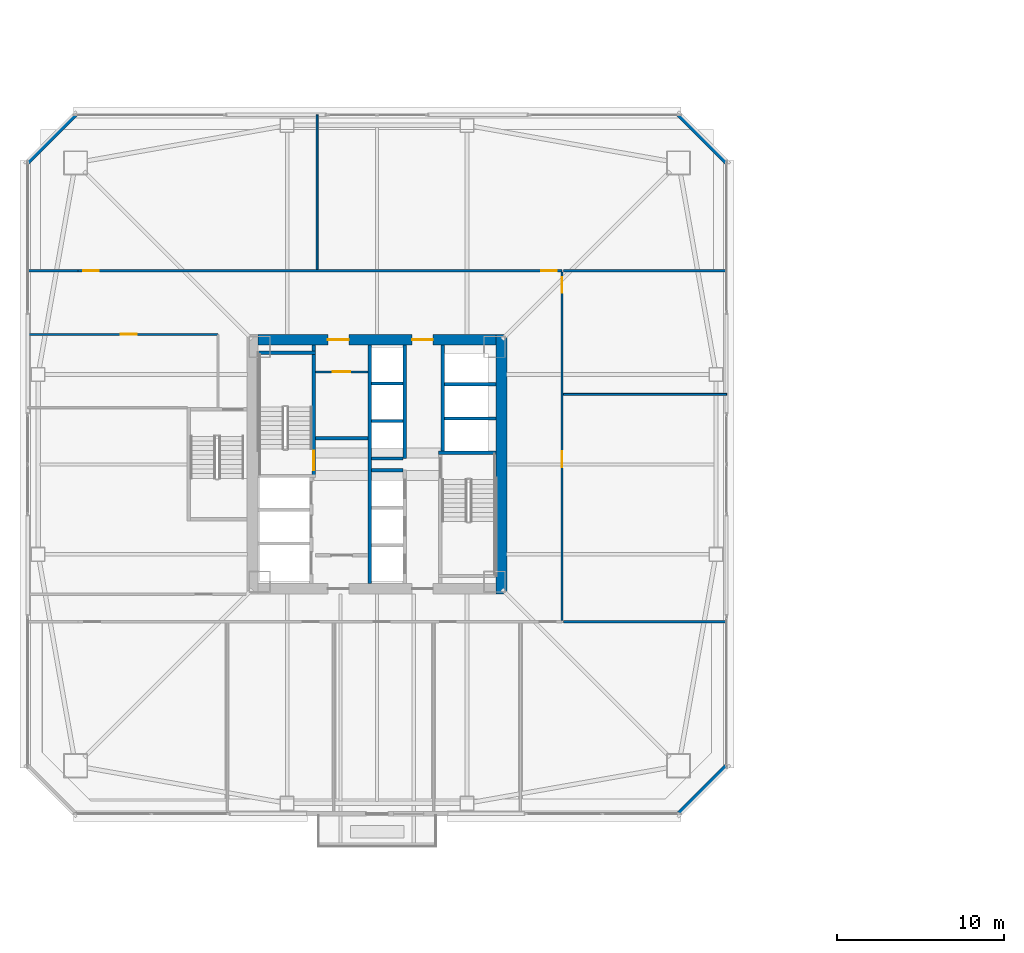
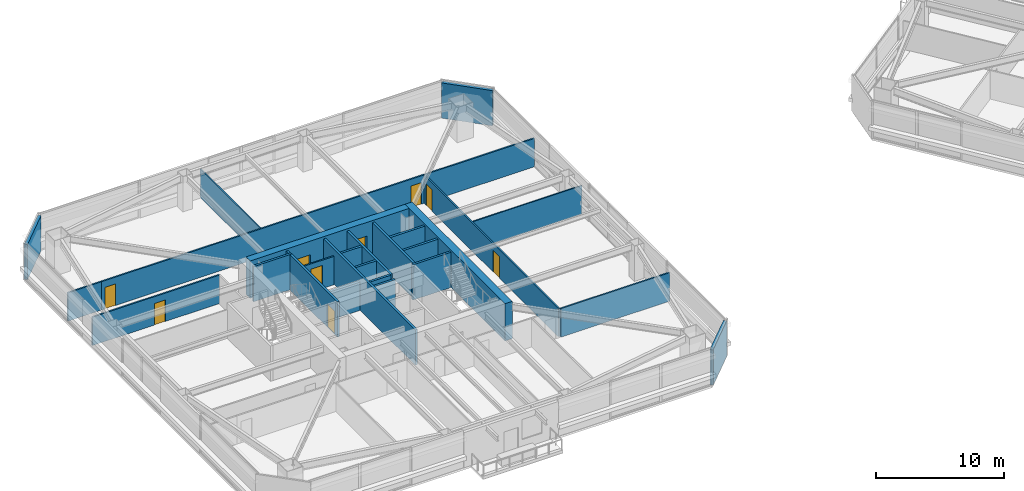
# One storey, part 34 of 44: 27 walls, 9 doors, 9 openings.
"""IFC4 building model written with IfcOpenShell, lengths in metres."""

from ifc_helpers import new_model, si_unit, direction, frame, frame_2d, origin, place, context, subcontext, project, spatial, rectangle, extrude, material, layer, layer_set, type_object, element, fill, save


model = new_model("IFC4")

# Units and contexts
model_context = context("Model", 3, precision=1e-05, world=origin(), true_north=direction((0.0, 1.0)))
body_context = subcontext(model_context, "Body", "Model", "MODEL_VIEW")
ifc_project = project(units=[si_unit("LENGTHUNIT", "METRE"), si_unit("AREAUNIT", "SQUARE_METRE"), si_unit("VOLUMEUNIT", "CUBIC_METRE"), si_unit("PLANEANGLEUNIT", "RADIAN"), si_unit("MASSUNIT", "GRAM", prefix="KILO")], contexts=[model_context])

# Site, building, storey
site_placement = place(None, origin())
site = spatial("IfcSite", under=ifc_project, at=site_placement, CompositionType="ELEMENT")
building_placement = place(site_placement, origin())
building = spatial("IfcBuilding", under=site, at=building_placement, Name="Tashvorn Skyway Center", CompositionType="ELEMENT")
storey_placement = place(building_placement, frame((0.0, 0.0, 92.050048828125)))
storey = spatial("IfcBuildingStorey", under=building, at=storey_placement, Name="L24", CompositionType="ELEMENT", Elevation=92.050048828125)

# Wall
ifc_material_1 = material(Name="Concrete C60/75", Category="concrete")
ifc_layer_1 = layer(ifc_material_1, 0.64990234375)
ifc_layer_set_1 = layer_set([ifc_layer_1], Name="Concrete C60/75")
wall_type_1 = type_object("IfcWallType", Name="WALL-CORE-650", PredefinedType="SHEAR", material=ifc_layer_set_1)
wall_1_placement = place(storey_placement, frame((49.47509765625, 39.800048828125, 0.0), z_axis=(0.0, 0.0, 1.0), x_axis=(0.0, -1.0, 0.0)))
element("IfcWall", 1, at=wall_1_placement, inside=storey, type_object=wall_type_1, Name="Tower 1 L24 East Core Shear Wall", PredefinedType="SHEAR", context=body_context, shape_type="SweptSolid", body=[
    extrude(rectangle(XDim=15.60009765625, YDim=0.64990234375, at=frame_2d((7.800048828125, 0.0))), origin(), (0.0, 0.0, 1.0), 3.550048828125),
])

# Wall, openings, doors
wall_2_placement = place(storey_placement, frame((34.85009765625, 39.47509765625, 0.0), z_axis=(0.0, 0.0, 1.0), x_axis=(1.0, 0.0, 0.0)))
wall_2 = element("IfcWall", 2, at=wall_2_placement, inside=storey, type_object=wall_type_1, Name="Tower 1 L24 North Core Shear Wall", PredefinedType="SHEAR", context=body_context, shape_type="SweptSolid", body=[
    extrude(rectangle(XDim=14.2998046875, YDim=0.64990234375, at=frame_2d((7.14990234375, 0.0))), origin(), (0.0, 0.0, 1.0), 3.550048828125),
])
opening_1_placement = place(wall_2_placement, frame((4.199951171875, 0.0, 0.0)))
opening_1 = element("IfcOpeningElement", 3, at=opening_1_placement, cuts=wall_2, Name="Opening D-FFL-1250", PredefinedType="OPENING", context=body_context, shape_type="SweptSolid", body=[
    extrude(rectangle(XDim=1.25, YDim=2.25, at=frame_2d((0.625, 1.125))), frame((0.0, 0.3349609375, 0.0), z_axis=(0.0, -1.0, 0.0), x_axis=(1.0, 0.0, 0.0)), (0.0, 0.0, 1.0), 0.669921875),
])
opening_2_placement = place(wall_2_placement, frame((9.25, 0.0, 0.0)))
opening_2 = element("IfcOpeningElement", 4, at=opening_2_placement, cuts=wall_2, Name="Opening D-FFL-1250", PredefinedType="OPENING", context=body_context, shape_type="SweptSolid", body=[
    extrude(rectangle(XDim=1.25, YDim=2.25, at=frame_2d((0.625, 1.125))), frame((0.0, 0.3349609375, 0.0), z_axis=(0.0, -1.0, 0.0), x_axis=(1.0, 0.0, 0.0)), (0.0, 0.0, 1.0), 0.669921875),
])
ifc_material_2 = material(Name="Hollow galvanized steel fire door assembly", Category="steel")
door_type_1 = type_object("IfcDoorType", Name="DOOR-FFL-1250", OperationType="NOTDEFINED", PredefinedType="DOOR", material=ifc_material_2)
door_1_placement = place(opening_1_placement, origin())
door_1 = element("IfcDoor", 5, at=door_1_placement, inside=storey, type_object=door_type_1, Name="Tower 1 L24 Core North Service Lobby Door", OperationType="SINGLE_SWING_LEFT", OverallHeight=2.25, OverallWidth=1.25, PredefinedType="DOOR", context=body_context, shape_type="SweptSolid", body=[
    extrude(rectangle(XDim=1.25, YDim=2.25, at=frame_2d((0.625, 1.125))), frame((0.0, 0.02490234375, 0.0), z_axis=(0.0, -1.0, 0.0), x_axis=(1.0, 0.0, 0.0)), (0.0, 0.0, 1.0), 0.050048828125),
])
fill(opening_1, door_1)
door_2_placement = place(opening_2_placement, origin())
door_2 = element("IfcDoor", 6, at=door_2_placement, inside=storey, type_object=door_type_1, Name="Tower 1 L24 Core North Lift Lobby Door", OperationType="SINGLE_SWING_RIGHT", OverallHeight=2.25, OverallWidth=1.25, PredefinedType="DOOR", context=body_context, shape_type="SweptSolid", body=[
    extrude(rectangle(XDim=1.25, YDim=2.25, at=frame_2d((0.625, 1.125))), frame((0.0, 0.02490234375, 0.0), z_axis=(0.0, -1.0, 0.0), x_axis=(1.0, 0.0, 0.0)), (0.0, 0.0, 1.0), 0.050048828125),
])
fill(opening_2, door_2)

# Walls
ifc_material_3 = material(Name="Precast concrete C40/50", Category="concrete")
ifc_layer_2 = layer(ifc_material_3, 0.280029296875)
ifc_layer_set_2 = layer_set([ifc_layer_2], Name="Precast concrete C40/50")
wall_type_2 = type_object("IfcWallType", Name="WALL-EXT-280", PredefinedType="SOLIDWALL", material=ifc_layer_set_2)
for number, where, z_axis, x_axis, name in (
    (7, (21.0, 50.10009765625, 0.0), (0.0, 0.0, 1.0), (0.707106781187, 0.707106781187, 0.0), "Tower 1 L24 NW Precast Chamfer Wall"),
    (8, (60.10009765625, 53.0, 0.0), (0.0, 0.0, 1.0), (0.707106781187, -0.707106781187, 0.0), "Tower 1 L24 NE Precast Chamfer Wall"),
    (9, (63.0, 13.89990234375, 0.0), (0.0, 0.0, 1.0), (-0.707106781187, -0.707106781187, 0.0), "Tower 1 L24 SE Precast Chamfer Wall"),
):
    element("IfcWall", number, at=place(storey_placement, frame(where, z_axis=z_axis, x_axis=x_axis)), inside=storey, type_object=wall_type_2, Name=name, PredefinedType="SOLIDWALL", context=body_context, shape_type="SweptSolid", body=[
        extrude(rectangle(XDim=4.10107421875, YDim=0.280029296875, at=frame_2d((2.050537109375, 0.0))), origin(), (0.0, 0.0, 1.0), 3.349853515625),
    ])
ifc_material_4 = material(Name="Concrete C40/50", Category="concrete")
ifc_layer_3 = layer(ifc_material_4, 0.219970703125)
ifc_layer_set_3 = layer_set([ifc_layer_3], Name="Concrete C40/50")
wall_type_3 = type_object("IfcWallType", Name="WALL-FFL-220", PredefinedType="SOLIDWALL", material=ifc_layer_set_3)
wall_3_placement = place(storey_placement, frame((38.300048828125, 33.56005859375, 0.0), z_axis=(0.0, 0.0, 1.0), x_axis=(1.0, 0.0, 0.0)))
element("IfcWall", 10, at=wall_3_placement, inside=storey, type_object=wall_type_3, Name="Tower 1 L24 Firefighting Lobby North Wall", PredefinedType="SOLIDWALL", context=body_context, shape_type="SweptSolid", body=[
    extrude(rectangle(XDim=3.14990234375, YDim=0.219970703125, at=frame_2d((1.574951171875, 0.0))), origin(), (0.0, 0.0, 1.0), 2.702880859375),
])
ifc_material_5 = material(Name="Gypsum board on cold-formed steel stud framing", Category="steel")
ifc_layer_4 = layer(ifc_material_5, 0.110107421875)
ifc_layer_set_4 = layer_set([ifc_layer_4], Name="Gypsum board on cold-formed steel stud framing")
wall_type_4 = type_object("IfcWallType", Name="WALL-PART-110", PredefinedType="PARTITIONING", material=ifc_layer_set_4)
wall_4_placement = place(storey_placement, frame((38.39990234375, 43.699951171875, 0.0), z_axis=(0.0, 0.0, 1.0), x_axis=(0.0, 1.0, 0.0)))
element("IfcWall", 11, at=wall_4_placement, inside=storey, type_object=wall_type_4, Name="Tower 1 L24 North Suite Partition 1", PredefinedType="PARTITIONING", context=body_context, shape_type="SweptSolid", body=[
    extrude(rectangle(XDim=9.280029296875, YDim=0.110107421875, at=frame_2d((4.64013671875, 0.0))), origin(), (0.0, 0.0, 1.0), 2.702880859375),
])
wall_5_placement = place(storey_placement, frame((53.179931640625, 36.199951171875, 0.0), z_axis=(0.0, 0.0, 1.0), x_axis=(1.0, 0.0, 0.0)))
element("IfcWall", 12, at=wall_5_placement, inside=storey, type_object=wall_type_4, Name="Tower 1 L24 East Suite Partition 1", PredefinedType="PARTITIONING", context=body_context, shape_type="SweptSolid", body=[
    extrude(rectangle(XDim=9.800048828125, YDim=0.110107421875, at=frame_2d((4.89990234375, 0.0))), origin(), (0.0, 0.0, 1.0), 2.702880859375),
])

# Wall, openings, doors
ifc_layer_5 = layer(ifc_material_5, 0.135009765625)
ifc_layer_set_5 = layer_set([ifc_layer_5], Name="Gypsum board on cold-formed steel stud framing")
wall_type_5 = type_object("IfcWallType", Name="WALL-PART-135", PredefinedType="PARTITIONING", material=ifc_layer_set_5)
wall_6_placement = place(storey_placement, frame((24.050048828125, 43.6201171875, 0.0), z_axis=(0.0, 0.0, 1.0), x_axis=(1.0, 0.0, 0.0)))
wall_6 = element("IfcWall", 13, at=wall_6_placement, inside=storey, type_object=wall_type_5, Name="Tower 1 L24 North Suite Wall", PredefinedType="PARTITIONING", context=body_context, shape_type="SweptSolid", body=[
    extrude(rectangle(XDim=29.050048828125, YDim=0.135009765625, at=frame_2d((14.52490234375, 0.0))), origin(), (0.0, 0.0, 1.0), 2.702880859375),
])
opening_3_placement = place(wall_6_placement, frame((0.300048828125, 0.0, 0.0)))
opening_3 = element("IfcOpeningElement", 14, at=opening_3_placement, cuts=wall_6, Name="Opening D-INT-950", PredefinedType="OPENING", context=body_context, shape_type="SweptSolid", body=[
    extrude(rectangle(XDim=0.949951171875, YDim=2.050048828125, at=frame_2d((0.47509765625, 1.02490234375))), frame((0.0, 0.077392578125, 0.0), z_axis=(0.0, -1.0, 0.0), x_axis=(1.0, 0.0, 0.0)), (0.0, 0.0, 1.0), 0.155029296875),
])
opening_4_placement = place(wall_6_placement, frame((27.800048828125, 0.0, 0.0)))
opening_4 = element("IfcOpeningElement", 15, at=opening_4_placement, cuts=wall_6, Name="Opening D-INT-950", PredefinedType="OPENING", context=body_context, shape_type="SweptSolid", body=[
    extrude(rectangle(XDim=0.949951171875, YDim=2.050048828125, at=frame_2d((0.47509765625, 1.02490234375))), frame((0.0, 0.077392578125, 0.0), z_axis=(0.0, -1.0, 0.0), x_axis=(1.0, 0.0, 0.0)), (0.0, 0.0, 1.0), 0.155029296875),
])
ifc_material_6 = material(Name="Solid-core architectural oak veneer door")
door_type_2 = type_object("IfcDoorType", Name="DOOR-INT-950", OperationType="NOTDEFINED", PredefinedType="DOOR", material=ifc_material_6)
door_3_placement = place(opening_3_placement, origin())
door_3 = element("IfcDoor", 16, at=door_3_placement, inside=storey, type_object=door_type_2, Name="Tower 1 L24 Executive Study Lounge Door", OperationType="SINGLE_SWING_LEFT", OverallHeight=2.050048828125, OverallWidth=0.949951171875, PredefinedType="DOOR", context=body_context, shape_type="SweptSolid", body=[
    extrude(rectangle(XDim=0.949951171875, YDim=2.050048828125, at=frame_2d((0.47509765625, 1.02490234375))), frame((0.0, 0.02490234375, 0.0), z_axis=(0.0, -1.0, 0.0), x_axis=(1.0, 0.0, 0.0)), (0.0, 0.0, 1.0), 0.050048828125),
])
fill(opening_3, door_3)
door_4_placement = place(opening_4_placement, origin())
door_4 = element("IfcDoor", 17, at=door_4_placement, inside=storey, type_object=door_type_2, Name="Tower 1 L24 Executive Study Lounge Door", OperationType="SINGLE_SWING_RIGHT", OverallHeight=2.050048828125, OverallWidth=0.949951171875, PredefinedType="DOOR", context=body_context, shape_type="SweptSolid", body=[
    extrude(rectangle(XDim=0.949951171875, YDim=2.050048828125, at=frame_2d((0.47509765625, 1.02490234375))), frame((0.0, 0.02490234375, 0.0), z_axis=(0.0, -1.0, 0.0), x_axis=(1.0, 0.0, 0.0)), (0.0, 0.0, 1.0), 0.050048828125),
])
fill(opening_4, door_4)

# Wall
wall_7_placement = place(storey_placement, frame((21.02001953125, 43.6201171875, 0.0), z_axis=(0.0, 0.0, 1.0), x_axis=(1.0, 0.0, 0.0)))
element("IfcWall", 18, at=wall_7_placement, inside=storey, type_object=wall_type_5, Name="Tower 1 L24 North-West Suite South Wall", PredefinedType="PARTITIONING", context=body_context, shape_type="SweptSolid", body=[
    extrude(rectangle(XDim=3.030029296875, YDim=0.135009765625, at=frame_2d((1.51513671875, 0.0))), origin(), (0.0, 0.0, 1.0), 2.702880859375),
])

# Wall, openings, doors
wall_8_placement = place(storey_placement, frame((53.10009765625, 43.5400390625, 0.0), z_axis=(0.0, 0.0, 1.0), x_axis=(0.0, -1.0, 0.0)))
wall_8 = element("IfcWall", 19, at=wall_8_placement, inside=storey, type_object=wall_type_5, Name="Tower 1 L24 East Inner Suite Wall", PredefinedType="PARTITIONING", context=body_context, shape_type="SweptSolid", body=[
    extrude(rectangle(XDim=20.91015625, YDim=0.135009765625, at=frame_2d((10.455078125, 0.0))), origin(), (0.0, 0.0, 1.0), 2.702880859375),
])
opening_5_placement = place(wall_8_placement, frame((10.7685546875, 0.0, 0.0)))
opening_5 = element("IfcOpeningElement", 20, at=opening_5_placement, cuts=wall_8, Name="Opening D-INT-950", PredefinedType="OPENING", context=body_context, shape_type="SweptSolid", body=[
    extrude(rectangle(XDim=0.949951171875, YDim=2.050048828125, at=frame_2d((0.47509765625, 1.02490234375))), frame((0.0, 0.077392578125, 0.0), z_axis=(0.0, -1.0, 0.0), x_axis=(1.0, 0.0, 0.0)), (0.0, 0.0, 1.0), 0.155029296875),
])
opening_6_placement = place(wall_8_placement, frame((0.300048828125, 0.0, 0.0)))
opening_6 = element("IfcOpeningElement", 21, at=opening_6_placement, cuts=wall_8, Name="Opening D-INT-950", PredefinedType="OPENING", context=body_context, shape_type="SweptSolid", body=[
    extrude(rectangle(XDim=0.949951171875, YDim=2.050048828125, at=frame_2d((0.47509765625, 1.02490234375))), frame((0.0, 0.077392578125, 0.0), z_axis=(0.0, -1.0, 0.0), x_axis=(1.0, 0.0, 0.0)), (0.0, 0.0, 1.0), 0.155029296875),
])
door_5_placement = place(opening_5_placement, origin())
door_5 = element("IfcDoor", 22, at=door_5_placement, inside=storey, type_object=door_type_2, Name="Tower 1 L24 Open Plan Office Door", OperationType="SINGLE_SWING_RIGHT", OverallHeight=2.050048828125, OverallWidth=0.949951171875, PredefinedType="DOOR", context=body_context, shape_type="SweptSolid", body=[
    extrude(rectangle(XDim=0.949951171875, YDim=2.050048828125, at=frame_2d((0.47509765625, 1.02490234375))), frame((0.0, 0.02490234375, 0.0), z_axis=(0.0, -1.0, 0.0), x_axis=(1.0, 0.0, 0.0)), (0.0, 0.0, 1.0), 0.050048828125),
])
fill(opening_5, door_5)
door_6_placement = place(opening_6_placement, origin())
door_6 = element("IfcDoor", 23, at=door_6_placement, inside=storey, type_object=door_type_2, Name="Tower 1 L24 Public Restroom Door", OperationType="SINGLE_SWING_LEFT", OverallHeight=2.050048828125, OverallWidth=0.949951171875, PredefinedType="DOOR", context=body_context, shape_type="SweptSolid", body=[
    extrude(rectangle(XDim=0.949951171875, YDim=2.050048828125, at=frame_2d((0.47509765625, 1.02490234375))), frame((0.0, 0.02490234375, 0.0), z_axis=(0.0, -1.0, 0.0), x_axis=(1.0, 0.0, 0.0)), (0.0, 0.0, 1.0), 0.050048828125),
])
fill(opening_6, door_6)

# Walls
for number, where, z_axis, x_axis, name in (
    (24, (62.97998046875, 43.6201171875, 0.0), (0.0, 0.0, 1.0), (-1.0, 0.0, 0.0), "Tower 1 L24 East Suite North Wall"),
    (25, (53.179931640625, 22.550048828125, 0.0), (0.0, 0.0, 1.0), (1.0, 0.0, 0.0), "Tower 1 L24 East Suite South Wall"),
):
    element("IfcWall", number, at=place(storey_placement, frame(where, z_axis=z_axis, x_axis=x_axis)), inside=storey, type_object=wall_type_5, Name=name, PredefinedType="PARTITIONING", context=body_context, shape_type="SweptSolid", body=[
        extrude(rectangle(XDim=9.800048828125, YDim=0.135009765625, at=frame_2d((4.89990234375, 0.0))), origin(), (0.0, 0.0, 1.0), 2.702880859375),
    ])

# Wall, opening, door
wall_9_placement = place(storey_placement, frame((32.449951171875, 39.800048828125, 0.0), z_axis=(0.0, 0.0, 1.0), x_axis=(-1.0, 0.0, 0.0)))
wall_9 = element("IfcWall", 26, at=wall_9_placement, inside=storey, type_object=wall_type_5, Name="Tower 1 L24 West Suite North Wall", PredefinedType="PARTITIONING", context=body_context, shape_type="SweptSolid", body=[
    extrude(rectangle(XDim=11.429931640625, YDim=0.135009765625, at=frame_2d((5.71484375, 0.0))), origin(), (0.0, 0.0, 1.0), 2.702880859375),
])
opening_7_placement = place(wall_9_placement, frame((4.889892578125, 0.0, 0.0)))
opening_7 = element("IfcOpeningElement", 27, at=opening_7_placement, cuts=wall_9, Name="Opening D-INT-950", PredefinedType="OPENING", context=body_context, shape_type="SweptSolid", body=[
    extrude(rectangle(XDim=0.949951171875, YDim=2.050048828125, at=frame_2d((0.47509765625, 1.02490234375))), frame((0.0, 0.077392578125, 0.0), z_axis=(0.0, -1.0, 0.0), x_axis=(1.0, 0.0, 0.0)), (0.0, 0.0, 1.0), 0.155029296875),
])
door_7_placement = place(opening_7_placement, origin())
door_7 = element("IfcDoor", 28, at=door_7_placement, inside=storey, type_object=door_type_2, Name="Tower 1 L24 Reading Lounge Door", OperationType="SINGLE_SWING_RIGHT", OverallHeight=2.050048828125, OverallWidth=0.949951171875, PredefinedType="DOOR", context=body_context, shape_type="SweptSolid", body=[
    extrude(rectangle(XDim=0.949951171875, YDim=2.050048828125, at=frame_2d((0.47509765625, 1.02490234375))), frame((0.0, 0.02490234375, 0.0), z_axis=(0.0, -1.0, 0.0), x_axis=(1.0, 0.0, 0.0)), (0.0, 0.0, 1.0), 0.050048828125),
])
fill(opening_7, door_7)

ifc_layer_6 = layer(ifc_material_5, 0.135009765625)
ifc_layer_set_6 = layer_set([ifc_layer_6], Name="Gypsum board on cold-formed steel stud framing")
wall_type_6 = type_object("IfcWallType", Name="WALL-RATED-135", PredefinedType="PARTITIONING", material=ifc_layer_set_6)
wall_10_placement = place(storey_placement, frame((38.300048828125, 37.550048828125, 0.0), z_axis=(0.0, 0.0, 1.0), x_axis=(1.0, 0.0, 0.0)))
wall_10 = element("IfcWall", 29, at=wall_10_placement, inside=storey, type_object=wall_type_6, Name="Tower 1 L24 Core Service Lobby Wall", PredefinedType="PARTITIONING", context=body_context, shape_type="SweptSolid", body=[
    extrude(rectangle(XDim=3.14990234375, YDim=0.135009765625, at=frame_2d((1.574951171875, 0.0))), origin(), (0.0, 0.0, 1.0), 2.702880859375),
])
opening_8_placement = place(wall_10_placement, frame((1.050048828125, 0.0, 0.0)))
opening_8 = element("IfcOpeningElement", 30, at=opening_8_placement, cuts=wall_10, Name="Opening D-RT-1050", PredefinedType="OPENING", context=body_context, shape_type="SweptSolid", body=[
    extrude(rectangle(XDim=1.050048828125, YDim=2.199951171875, at=frame_2d((0.52490234375, 1.10009765625))), frame((0.0, 0.077392578125, 0.0), z_axis=(0.0, -1.0, 0.0), x_axis=(1.0, 0.0, 0.0)), (0.0, 0.0, 1.0), 0.155029296875),
])
door_type_3 = type_object("IfcDoorType", Name="DOOR-RATED-1050", OperationType="NOTDEFINED", PredefinedType="DOOR", material=ifc_material_2)
door_8_placement = place(opening_8_placement, origin())
door_8 = element("IfcDoor", 31, at=door_8_placement, inside=storey, type_object=door_type_3, Name="Tower 1 L24 Core Accessible WC Door", OperationType="SINGLE_SWING_LEFT", OverallHeight=2.199951171875, OverallWidth=1.050048828125, PredefinedType="DOOR", context=body_context, shape_type="SweptSolid", body=[
    extrude(rectangle(XDim=1.050048828125, YDim=2.199951171875, at=frame_2d((0.52490234375, 1.10009765625))), frame((0.0, 0.02490234375, 0.0), z_axis=(0.0, -1.0, 0.0), x_axis=(1.0, 0.0, 0.0)), (0.0, 0.0, 1.0), 0.050048828125),
])
fill(opening_8, door_8)

# Walls
ifc_layer_7 = layer(ifc_material_4, 0.199951171875)
ifc_layer_set_7 = layer_set([ifc_layer_7], Name="Concrete C40/50")
wall_type_7 = type_object("IfcWallType", Name="WALL-SHAFT-200", PredefinedType="SOLIDWALL", material=ifc_layer_set_7)
for number, where, z_axis, x_axis, name in (
    (32, (46.050048828125, 34.75, 0.0), (0.0, 0.0, 1.0), (1.0, 0.0, 0.0), "Tower 1 L24 High-Rise Shaft Divider"),
    (33, (46.050048828125, 36.800048828125, 0.0), (0.0, 0.0, 1.0), (1.0, 0.0, 0.0), "Tower 1 L24 High-Rise Shaft Divider"),
):
    element("IfcWall", number, at=place(storey_placement, frame(where, z_axis=z_axis, x_axis=x_axis)), inside=storey, type_object=wall_type_7, Name=name, PredefinedType="SOLIDWALL", context=body_context, shape_type="SweptSolid", body=[
        extrude(rectangle(XDim=3.099853515625, YDim=0.199951171875, at=frame_2d((1.5498046875, 0.0))), origin(), (0.0, 0.0, 1.0), 3.349853515625),
    ])
wall_11_placement = place(storey_placement, frame((41.669921875, 31.64990234375, 0.0), z_axis=(0.0, 0.0, 1.0), x_axis=(1.0, 0.0, 0.0)))
element("IfcWall", 34, at=wall_11_placement, inside=storey, type_object=wall_type_7, Name="Tower 1 L24 Low-Rise Shaft Divider", PredefinedType="SOLIDWALL", context=body_context, shape_type="SweptSolid", body=[
    extrude(rectangle(XDim=1.880126953125, YDim=0.199951171875, at=frame_2d((0.93994140625, 0.0))), origin(), (0.0, 0.0, 1.0), 3.349853515625),
])
wall_12_placement = place(storey_placement, frame((43.64990234375, 32.35009765625, 0.0), z_axis=(0.0, 0.0, 1.0), x_axis=(0.0, 1.0, 0.0)))
element("IfcWall", 35, at=wall_12_placement, inside=storey, type_object=wall_type_7, Name="Tower 1 L24 Mid-Rise Core Wall", PredefinedType="SOLIDWALL", context=body_context, shape_type="SweptSolid", body=[
    extrude(rectangle(XDim=6.7998046875, YDim=0.199951171875, at=frame_2d((3.39990234375, 0.0))), origin(), (0.0, 0.0, 1.0), 3.349853515625),
])
for number, where, z_axis, x_axis, name in (
    (36, (41.669921875, 32.35009765625, 0.0), (0.0, 0.0, 1.0), (1.0, 0.0, 0.0), "Tower 1 L24 Mid-Rise Shaft Divider"),
    (37, (41.669921875, 34.60009765625, 0.0), (0.0, 0.0, 1.0), (1.0, 0.0, 0.0), "Tower 1 L24 Mid-Rise Shaft Divider"),
    (38, (41.669921875, 36.85009765625, 0.0), (0.0, 0.0, 1.0), (1.0, 0.0, 0.0), "Tower 1 L24 Mid-Rise Shaft Divider"),
):
    element("IfcWall", number, at=place(storey_placement, frame(where, z_axis=z_axis, x_axis=x_axis)), inside=storey, type_object=wall_type_7, Name=name, PredefinedType="SOLIDWALL", context=body_context, shape_type="SweptSolid", body=[
        extrude(rectangle(XDim=1.880126953125, YDim=0.199951171875, at=frame_2d((0.93994140625, 0.0))), origin(), (0.0, 0.0, 1.0), 3.349853515625),
    ])

# Wall, opening, door
ifc_layer_8 = layer(ifc_material_4, 0.199951171875)
ifc_layer_set_8 = layer_set([ifc_layer_8], Name="Concrete C40/50")
wall_type_8 = type_object("IfcWallType", Name="WALL-STSHF-200", PredefinedType="SHEAR", material=ifc_layer_set_8)
wall_13_placement = place(storey_placement, frame((38.199951171875, 31.199951171875, 0.0), z_axis=(0.0, 0.0, 1.0), x_axis=(0.0, 1.0, 0.0)))
wall_13 = element("IfcWall", 39, at=wall_13_placement, inside=storey, type_object=wall_type_8, Name="Tower 1 L24 Stair 1 Enclosure Wall", PredefinedType="SHEAR", context=body_context, shape_type="SweptSolid", body=[
    extrude(rectangle(XDim=7.949951171875, YDim=0.199951171875, at=frame_2d((3.97509765625, 0.0))), origin(), (0.0, 0.0, 1.0), 3.349853515625),
])
opening_9_placement = place(wall_13_placement, frame((0.449951171875, 0.0, 0.0)))
opening_9 = element("IfcOpeningElement", 40, at=opening_9_placement, cuts=wall_13, Name="Opening D-ST-1150", PredefinedType="OPENING", context=body_context, shape_type="SweptSolid", body=[
    extrude(rectangle(XDim=1.14990234375, YDim=2.199951171875, at=frame_2d((0.574951171875, 1.10009765625))), frame((0.0, 0.10986328125, 0.0), z_axis=(0.0, -1.0, 0.0), x_axis=(1.0, 0.0, 0.0)), (0.0, 0.0, 1.0), 0.219970703125),
])
door_type_4 = type_object("IfcDoorType", Name="DOOR-STAIR-1150", OperationType="NOTDEFINED", PredefinedType="DOOR", material=ifc_material_2)
door_9_placement = place(opening_9_placement, origin())
door_9 = element("IfcDoor", 41, at=door_9_placement, inside=storey, type_object=door_type_4, Name="Tower 1 L24 Exit Stair 1 Door", OperationType="SINGLE_SWING_RIGHT", OverallHeight=2.199951171875, OverallWidth=1.14990234375, PredefinedType="DOOR", context=body_context, shape_type="SweptSolid", body=[
    extrude(rectangle(XDim=1.14990234375, YDim=2.199951171875, at=frame_2d((0.574951171875, 1.10009765625))), frame((0.0, 0.02490234375, 0.0), z_axis=(0.0, -1.0, 0.0), x_axis=(1.0, 0.0, 0.0)), (0.0, 0.0, 1.0), 0.050048828125),
])
fill(opening_9, door_9)

# Walls
for number, where, z_axis, x_axis, name in (
    (42, (34.85009765625, 38.699951171875, 0.0), (0.0, 0.0, 1.0), (1.0, 0.0, 0.0), "Tower 1 L24 Stair 1 North Wall"),
    (43, (45.699951171875, 32.699951171875, 0.0), (0.0, 0.0, 1.0), (1.0, 0.0, 0.0), "Tower 1 L24 Stair 2 North Wall"),
):
    element("IfcWall", number, at=place(storey_placement, frame(where, z_axis=z_axis, x_axis=x_axis)), inside=storey, type_object=wall_type_8, Name=name, PredefinedType="SHEAR", context=body_context, shape_type="SweptSolid", body=[
        extrude(rectangle(XDim=3.449951171875, YDim=0.199951171875, at=frame_2d((1.72509765625, 0.0))), origin(), (0.0, 0.0, 1.0), 3.349853515625),
    ])
wall_14_placement = place(storey_placement, frame((41.56005859375, 24.85009765625, 0.0), z_axis=(0.0, 0.0, 1.0), x_axis=(0.0, 1.0, 0.0)))
element("IfcWall", 44, at=wall_14_placement, inside=storey, type_object=wall_type_8, Name="Tower 1 L24 Firefighting Lobby East Smoke Barrier", PredefinedType="SHEAR", context=body_context, shape_type="SweptSolid", body=[
    extrude(rectangle(XDim=14.2998046875, YDim=0.199951171875, at=frame_2d((7.14990234375, 0.0))), origin(), (0.0, 0.0, 1.0), 3.349853515625),
])
wall_15_placement = place(storey_placement, frame((45.949951171875, 39.14990234375, 0.0), z_axis=(0.0, 0.0, 1.0), x_axis=(0.0, -1.0, 0.0)))
element("IfcWall", 45, at=wall_15_placement, inside=storey, type_object=wall_type_8, Name="Tower 1 L24 High-Rise Lift Shaft Front Wall", PredefinedType="SHEAR", context=body_context, shape_type="SweptSolid", body=[
    extrude(rectangle(XDim=6.349853515625, YDim=0.199951171875, at=frame_2d((3.1748046875, 0.0))), origin(), (0.0, 0.0, 1.0), 3.349853515625),
])

save(model, "model.ifc")
